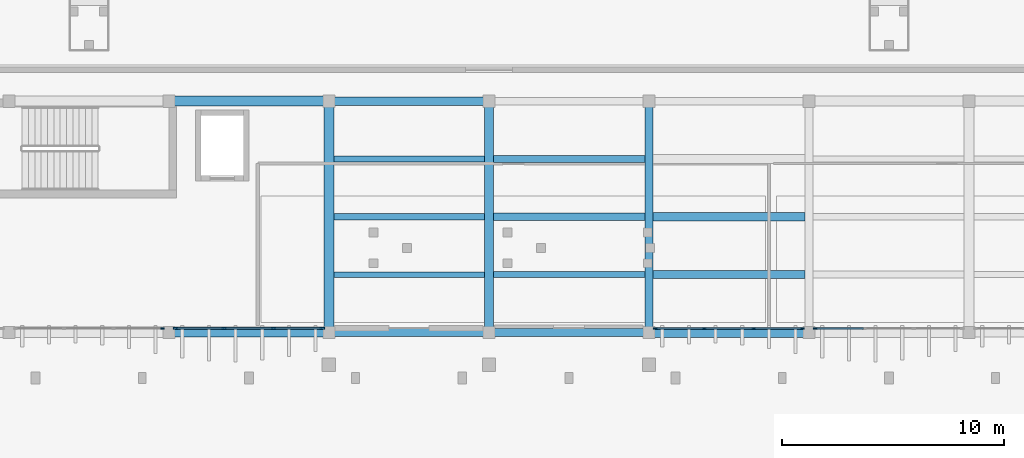
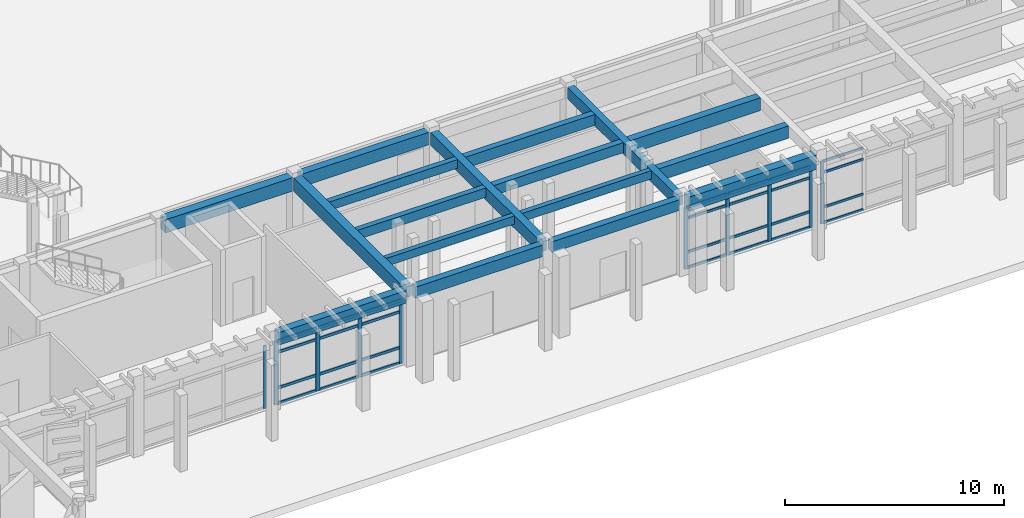
# One storey, part 12 of 58: 38 members, 17 beams, 4 elements without a shape of their own.
"""IFC4 building model written with IfcOpenShell, lengths in metres."""

from ifc_helpers import new_model, si_unit, direction, frame, origin, origin_2d, place, context, subcontext, project, spatial, rectangle, extrude, material, layer, layer_set, material_profile, profile_set, type_object, element, aggregate, save


model = new_model("IFC4")

# Units and contexts
model_context = context("Model", 3, precision=1e-05, world=origin(), true_north=direction((0.0, 1.0)))
body_context = subcontext(model_context, "Body", "Model", "MODEL_VIEW")
ifc_project = project(units=[si_unit("LENGTHUNIT", "METRE"), si_unit("AREAUNIT", "SQUARE_METRE"), si_unit("VOLUMEUNIT", "CUBIC_METRE"), si_unit("PLANEANGLEUNIT", "RADIAN"), si_unit("MASSUNIT", "GRAM", prefix="KILO")], contexts=[model_context])

# Site, building, storey
site_placement = place(None, origin())
site = spatial("IfcSite", under=ifc_project, at=site_placement, CompositionType="ELEMENT")
building_placement = place(site_placement, origin())
building = spatial("IfcBuilding", under=site, at=building_placement, Name="Brisavento Harbour Community Centre", CompositionType="ELEMENT")
storey_placement = place(building_placement, origin())
storey = spatial("IfcBuildingStorey", under=building, at=storey_placement, Name="L00", CompositionType="ELEMENT", Elevation=0.0)

# Beams
ifc_material_1 = material(Name="Concrete C35/45", Category="concrete")
ifc_material_profile_1 = material_profile(ifc_material_1, rectangle(XDim=0.25, YDim=0.449951171875, at=origin_2d()), Name="Concrete C35/45")
ifc_profile_set_1 = profile_set([ifc_material_profile_1], Name="Concrete C35/45")
beam_type_1 = type_object("IfcBeamType", Name="BM-JST-250x450", PredefinedType="JOIST", material=ifc_profile_set_1)
beam_1_placement = place(storey_placement, frame((72.22509765625, 17.0, 4.014892578125), z_axis=(1.0, 0.0, 0.0), x_axis=(0.0, 1.0, 0.0)))
element("IfcBeam", 1, at=beam_1_placement, inside=storey, type_object=beam_type_1, Name="L00 secondary floor joist 0167", PredefinedType="JOIST", context=body_context, shape_type="SweptSolid", body=[
    extrude(rectangle(XDim=0.25, YDim=0.449951171875, at=origin_2d()), origin(), (0.0, 0.0, 1.0), 6.77490234375),
])
ifc_material_profile_2 = material_profile(ifc_material_1, rectangle(XDim=0.260009765625, YDim=0.4599609375, at=origin_2d()), Name="Concrete C35/45")
ifc_profile_set_2 = profile_set([ifc_material_profile_2], Name="Concrete C35/45")
beam_type_2 = type_object("IfcBeamType", Name="BM-JST-260x460", PredefinedType="JOIST", material=ifc_profile_set_2)
beam_2_placement = place(storey_placement, frame((79.39990234375, 17.0, 4.010009765625), z_axis=(1.0, 0.0, 0.0), x_axis=(0.0, 1.0, 0.0)))
element("IfcBeam", 2, at=beam_2_placement, inside=storey, type_object=beam_type_2, Name="L00 secondary floor joist 0170", PredefinedType="JOIST", context=body_context, shape_type="SweptSolid", body=[
    extrude(rectangle(XDim=0.260009765625, YDim=0.4599609375, at=origin_2d()), origin(), (0.0, 0.0, 1.0), 6.8251953125),
])
ifc_material_profile_3 = material_profile(ifc_material_1, rectangle(XDim=0.280029296875, YDim=0.47998046875, at=origin_2d()), Name="Concrete C35/45")
ifc_profile_set_3 = profile_set([ifc_material_profile_3], Name="Concrete C35/45")
beam_type_3 = type_object("IfcBeamType", Name="BM-JST-280x480", PredefinedType="JOIST", material=ifc_profile_set_3)
beam_3_placement = place(storey_placement, frame((72.22509765625, 22.199951171875, 4.0), z_axis=(1.0, 0.0, 0.0), x_axis=(0.0, 1.0, 0.0)))
element("IfcBeam", 3, at=beam_3_placement, inside=storey, type_object=beam_type_3, Name="L00 secondary floor joist 0169", PredefinedType="JOIST", context=body_context, shape_type="SweptSolid", body=[
    extrude(rectangle(XDim=0.280029296875, YDim=0.47998046875, at=origin_2d()), origin(), (0.0, 0.0, 1.0), 6.77490234375),
])
ifc_material_profile_4 = material_profile(ifc_material_1, rectangle(XDim=0.280029296875, YDim=0.52001953125, at=origin_2d()), Name="Concrete C35/45")
ifc_profile_set_4 = profile_set([ifc_material_profile_4], Name="Concrete C35/45")
beam_type_4 = type_object("IfcBeamType", Name="BM-JST-280x520", PredefinedType="JOIST", material=ifc_profile_set_4)
beam_4_placement = place(storey_placement, frame((72.22509765625, 19.60009765625, 3.97998046875), z_axis=(1.0, 0.0, 0.0), x_axis=(0.0, 1.0, 0.0)))
element("IfcBeam", 4, at=beam_4_placement, inside=storey, type_object=beam_type_4, Name="L00 secondary floor joist 0168", PredefinedType="JOIST", context=body_context, shape_type="SweptSolid", body=[
    extrude(rectangle(XDim=0.280029296875, YDim=0.52001953125, at=origin_2d()), origin(), (0.0, 0.0, 1.0), 6.77490234375),
])
ifc_material_profile_5 = material_profile(ifc_material_1, rectangle(XDim=0.320068359375, YDim=0.56005859375, at=origin_2d()), Name="Concrete C35/45")
ifc_profile_set_5 = profile_set([ifc_material_profile_5], Name="Concrete C35/45")
beam_type_5 = type_object("IfcBeamType", Name="BM-JST-320x560", PredefinedType="JOIST", material=ifc_profile_set_5)
beam_5_placement = place(storey_placement, frame((79.39990234375, 19.60009765625, 3.9599609375), z_axis=(1.0, 0.0, 0.0), x_axis=(0.0, 1.0, 0.0)))
element("IfcBeam", 5, at=beam_5_placement, inside=storey, type_object=beam_type_5, Name="L00 secondary floor joist 0171", PredefinedType="JOIST", context=body_context, shape_type="SweptSolid", body=[
    extrude(rectangle(XDim=0.320068359375, YDim=0.56005859375, at=origin_2d()), origin(), (0.0, 0.0, 1.0), 6.8251953125),
])
ifc_material_profile_6 = material_profile(ifc_material_1, rectangle(XDim=0.320068359375, YDim=0.6201171875, at=origin_2d()), Name="Concrete C35/45")
ifc_profile_set_6 = profile_set([ifc_material_profile_6], Name="Concrete C35/45")
beam_type_6 = type_object("IfcBeamType", Name="BM-JST-320x620", PredefinedType="JOIST", material=ifc_profile_set_6)
beam_6_placement = place(storey_placement, frame((79.39990234375, 22.199951171875, 3.929931640625), z_axis=(1.0, 0.0, 0.0), x_axis=(0.0, 1.0, 0.0)))
element("IfcBeam", 6, at=beam_6_placement, inside=storey, type_object=beam_type_6, Name="L00 secondary floor joist 0172", PredefinedType="JOIST", context=body_context, shape_type="SweptSolid", body=[
    extrude(rectangle(XDim=0.320068359375, YDim=0.6201171875, at=origin_2d()), origin(), (0.0, 0.0, 1.0), 6.8251953125),
])
ifc_material_profile_7 = material_profile(ifc_material_1, rectangle(XDim=0.360107421875, YDim=0.679931640625, at=origin_2d()), Name="Concrete C35/45")
ifc_profile_set_7 = profile_set([ifc_material_profile_7], Name="Concrete C35/45")
beam_type_7 = type_object("IfcBeamType", Name="BM-JST-360x680", PredefinedType="JOIST", material=ifc_profile_set_7)
beam_7_placement = place(storey_placement, frame((86.574951171875, 17.0, 3.89990234375), z_axis=(1.0, 0.0, 0.0), x_axis=(0.0, 1.0, 0.0)))
element("IfcBeam", 7, at=beam_7_placement, inside=storey, type_object=beam_type_7, Name="L00 secondary floor joist 0173", PredefinedType="JOIST", context=body_context, shape_type="SweptSolid", body=[
    extrude(rectangle(XDim=0.360107421875, YDim=0.679931640625, at=origin_2d()), origin(), (0.0, 0.0, 1.0), 6.85009765625),
])
ifc_material_profile_8 = material_profile(ifc_material_1, rectangle(XDim=0.3798828125, YDim=0.719970703125, at=origin_2d()), Name="Concrete C35/45")
ifc_profile_set_8 = profile_set([ifc_material_profile_8], Name="Concrete C35/45")
beam_type_8 = type_object("IfcBeamType", Name="BM-JST-380x720", PredefinedType="JOIST", material=ifc_profile_set_8)
beam_8_placement = place(storey_placement, frame((86.574951171875, 19.60009765625, 3.8798828125), z_axis=(1.0, 0.0, 0.0), x_axis=(0.0, 1.0, 0.0)))
element("IfcBeam", 8, at=beam_8_placement, inside=storey, type_object=beam_type_8, Name="L00 secondary floor joist 0174", PredefinedType="JOIST", context=body_context, shape_type="SweptSolid", body=[
    extrude(rectangle(XDim=0.3798828125, YDim=0.719970703125, at=origin_2d()), origin(), (0.0, 0.0, 1.0), 6.85009765625),
])
ifc_material_profile_9 = material_profile(ifc_material_1, rectangle(XDim=0.35009765625, YDim=0.60009765625, at=origin_2d()), Name="Concrete C35/45")
ifc_profile_set_9 = profile_set([ifc_material_profile_9], Name="Concrete C35/45")
beam_type_9 = type_object("IfcBeamType", Name="BM-RC-350x600", PredefinedType="BEAM", material=ifc_profile_set_9)
beam_9_placement = place(storey_placement, frame((79.445068359375, 14.39990234375, 3.93994140625), z_axis=(1.0, 0.0, 0.0), x_axis=(0.0, 1.0, 0.0)))
element("IfcBeam", 9, at=beam_9_placement, inside=storey, type_object=beam_type_9, Name="L00 primary girder X0239", PredefinedType="BEAM", context=body_context, shape_type="SweptSolid", body=[
    extrude(rectangle(XDim=0.35009765625, YDim=0.60009765625, at=origin_2d()), origin(), (0.0, 0.0, 1.0), 6.7099609375),
])
ifc_material_profile_10 = material_profile(ifc_material_1, rectangle(XDim=0.35009765625, YDim=0.64990234375, at=origin_2d()), Name="Concrete C35/45")
ifc_profile_set_10 = profile_set([ifc_material_profile_10], Name="Concrete C35/45")
beam_type_10 = type_object("IfcBeamType", Name="BM-RC-350x650", PredefinedType="BEAM", material=ifc_profile_set_10)
beam_10_placement = place(storey_placement, frame((72.2451171875, 14.39990234375, 3.9150390625), z_axis=(1.0, 0.0, 0.0), x_axis=(0.0, 1.0, 0.0)))
element("IfcBeam", 10, at=beam_10_placement, inside=storey, type_object=beam_type_10, Name="L00 primary girder X0238", PredefinedType="BEAM", context=body_context, shape_type="SweptSolid", body=[
    extrude(rectangle(XDim=0.35009765625, YDim=0.64990234375, at=origin_2d()), origin(), (0.0, 0.0, 1.0), 6.7099609375),
])
beam_11_placement = place(storey_placement, frame((86.39990234375, 14.64501953125, 3.9150390625), z_axis=(0.0, 1.0, 0.0), x_axis=(-1.0, 0.0, 0.0)))
element("IfcBeam", 11, at=beam_11_placement, inside=storey, type_object=beam_type_10, Name="L00 primary girder Y0358", PredefinedType="BEAM", context=body_context, shape_type="SweptSolid", body=[
    extrude(rectangle(XDim=0.35009765625, YDim=0.64990234375, at=origin_2d()), origin(), (0.0, 0.0, 1.0), 9.909912109375),
])
ifc_material_profile_11 = material_profile(ifc_material_1, rectangle(XDim=0.39990234375, YDim=0.699951171875, at=origin_2d()), Name="Concrete C35/45")
ifc_profile_set_11 = profile_set([ifc_material_profile_11], Name="Concrete C35/45")
beam_type_11 = type_object("IfcBeamType", Name="BM-RC-400x700", PredefinedType="BEAM", material=ifc_profile_set_11)
for number, where, z_axis, x_axis, name in (
    (12, (65.044921875, 14.39990234375, 3.889892578125), (1.0, 0.0, 0.0), (0.0, 1.0, 0.0), "L00 primary girder X0237"),
    (13, (72.2451171875, 24.800048828125, 3.889892578125), (1.0, 0.0, 0.0), (0.0, 1.0, 0.0), "L00 primary girder X0262"),
):
    element("IfcBeam", number, at=place(storey_placement, frame(where, z_axis=z_axis, x_axis=x_axis)), inside=storey, type_object=beam_type_11, Name=name, PredefinedType="BEAM", context=body_context, shape_type="SweptSolid", body=[
        extrude(rectangle(XDim=0.39990234375, YDim=0.699951171875, at=origin_2d()), origin(), (0.0, 0.0, 1.0), 6.7099609375),
    ])
beam_12_placement = place(storey_placement, frame((79.199951171875, 14.64501953125, 3.889892578125), z_axis=(0.0, 1.0, 0.0), x_axis=(-1.0, 0.0, 0.0)))
element("IfcBeam", 14, at=beam_12_placement, inside=storey, type_object=beam_type_11, Name="L00 primary girder Y0357", PredefinedType="BEAM", context=body_context, shape_type="SweptSolid", body=[
    extrude(rectangle(XDim=0.39990234375, YDim=0.699951171875, at=origin_2d()), origin(), (0.0, 0.0, 1.0), 9.909912109375),
])
ifc_material_profile_12 = material_profile(ifc_material_1, rectangle(XDim=0.449951171875, YDim=0.75, at=origin_2d()), Name="Concrete C35/45")
ifc_profile_set_12 = profile_set([ifc_material_profile_12], Name="Concrete C35/45")
beam_type_12 = type_object("IfcBeamType", Name="BM-RC-450x750", PredefinedType="BEAM", material=ifc_profile_set_12)
beam_13_placement = place(storey_placement, frame((65.044921875, 24.800048828125, 3.864990234375), z_axis=(1.0, 0.0, 0.0), x_axis=(0.0, 1.0, 0.0)))
element("IfcBeam", 15, at=beam_13_placement, inside=storey, type_object=beam_type_12, Name="L00 primary girder X0261", PredefinedType="BEAM", context=body_context, shape_type="SweptSolid", body=[
    extrude(rectangle(XDim=0.449951171875, YDim=0.75, at=origin_2d()), origin(), (0.0, 0.0, 1.0), 6.7099609375),
])
beam_14_placement = place(storey_placement, frame((72.0, 14.64501953125, 3.864990234375), z_axis=(0.0, 1.0, 0.0), x_axis=(-1.0, 0.0, 0.0)))
element("IfcBeam", 16, at=beam_14_placement, inside=storey, type_object=beam_type_12, Name="L00 primary girder Y0356", PredefinedType="BEAM", context=body_context, shape_type="SweptSolid", body=[
    extrude(rectangle(XDim=0.449951171875, YDim=0.75, at=origin_2d()), origin(), (0.0, 0.0, 1.0), 9.909912109375),
])
ifc_material_profile_13 = material_profile(ifc_material_1, rectangle(XDim=0.449951171875, YDim=0.800048828125, at=origin_2d()), Name="Concrete C35/45")
ifc_profile_set_13 = profile_set([ifc_material_profile_13], Name="Concrete C35/45")
beam_type_13 = type_object("IfcBeamType", Name="BM-RC-450x800", PredefinedType="BEAM", material=ifc_profile_set_13)
beam_15_placement = place(storey_placement, frame((86.64501953125, 14.39990234375, 3.840087890625), z_axis=(1.0, 0.0, 0.0), x_axis=(0.0, 1.0, 0.0)))
element("IfcBeam", 17, at=beam_15_placement, inside=storey, type_object=beam_type_13, Name="L00 primary girder X0240", PredefinedType="BEAM", context=body_context, shape_type="SweptSolid", body=[
    extrude(rectangle(XDim=0.449951171875, YDim=0.800048828125, at=origin_2d()), origin(), (0.0, 0.0, 1.0), 6.7099609375),
])

# Curtain wall, member
ifc_material_2 = material(Name="Marine-anodised aluminium AW-6063-T6", Category="aluminium")
ifc_layer_1 = layer(ifc_material_2, 0.179931640625, Name="Marine-anodised aluminium AW-6063-T6")
ifc_layer_set_1 = layer_set([ifc_layer_1], Name="Marine-anodised aluminium AW-6063-T6")
curtain_wall_type_1 = type_object("IfcCurtainWallType", Name="CW-SYS-05", PredefinedType="USERDEFINED", material=ifc_layer_set_1)
curtain_wall_1_placement = place(storey_placement, origin())
curtain_wall_1 = element("IfcCurtainWall", 18, at=curtain_wall_1_placement, inside=storey, type_object=curtain_wall_type_1, Name="L00 V2 unitised curtain wall 005", ObjectType="UNITISED CURTAIN WALL", PredefinedType="USERDEFINED")
ifc_material_profile_14 = material_profile(ifc_material_2, rectangle(XDim=0.06494140625, YDim=0.1650390625, at=origin_2d()), Name="Marine-anodised aluminium AW-6063-T6")
ifc_profile_set_14 = profile_set([ifc_material_profile_14], Name="Marine-anodised aluminium AW-6063-T6")
member_type_1 = type_object("IfcMemberType", Name="CWM-01", PredefinedType="MULLION", material=ifc_profile_set_14)
member_1_placement = place(storey_placement, frame((64.507568359375, 14.580078125, 0.0), z_axis=(0.0, 0.0, 1.0), x_axis=(0.0, -1.0, 0.0)))
member_1 = element("IfcMember", 19, at=member_1_placement, type_object=member_type_1, Name="CW-05 mullion 1", PredefinedType="MULLION", context=body_context, shape_type="SweptSolid", body=[
    extrude(rectangle(XDim=0.06494140625, YDim=0.1650390625, at=origin_2d()), origin(), (0.0, 0.0, 1.0), 3.489990234375),
])
aggregate(curtain_wall_1, [member_1])

ifc_layer_2 = layer(ifc_material_2, 0.179931640625, Name="Marine-anodised aluminium AW-6063-T6")
ifc_layer_set_2 = layer_set([ifc_layer_2], Name="Marine-anodised aluminium AW-6063-T6")
curtain_wall_type_2 = type_object("IfcCurtainWallType", Name="CW-SYS-02", PredefinedType="USERDEFINED", material=ifc_layer_set_2)
curtain_wall_2_placement = place(storey_placement, origin())
curtain_wall_2 = element("IfcCurtainWall", 20, at=curtain_wall_2_placement, inside=storey, type_object=curtain_wall_type_2, Name="L00 V2 unitised curtain wall 002", ObjectType="UNITISED CURTAIN WALL", PredefinedType="USERDEFINED")
ifc_material_profile_15 = material_profile(ifc_material_2, rectangle(XDim=0.070068359375, YDim=0.179931640625, at=origin_2d()), Name="Marine-anodised aluminium AW-6063-T6")
ifc_profile_set_15 = profile_set([ifc_material_profile_15], Name="Marine-anodised aluminium AW-6063-T6")
member_type_2 = type_object("IfcMemberType", Name="CWM-02", PredefinedType="MULLION", material=ifc_profile_set_15)
member_2_placement = place(storey_placement, frame((93.89501953125, 14.580078125, 0.0), z_axis=(0.0, 0.0, 1.0), x_axis=(0.0, -1.0, 0.0)))
member_2 = element("IfcMember", 21, at=member_2_placement, type_object=member_type_2, Name="CW-02 mullion 4", PredefinedType="MULLION", context=body_context, shape_type="SweptSolid", body=[
    extrude(rectangle(XDim=0.070068359375, YDim=0.179931640625, at=origin_2d()), origin(), (0.0, 0.0, 1.0), 3.489990234375),
])

# Curtain wall, members
ifc_layer_3 = layer(ifc_material_2, 0.179931640625, Name="Marine-anodised aluminium AW-6063-T6")
ifc_layer_set_3 = layer_set([ifc_layer_3], Name="Marine-anodised aluminium AW-6063-T6")
curtain_wall_type_3 = type_object("IfcCurtainWallType", Name="CW-SYS-03", PredefinedType="USERDEFINED", material=ifc_layer_set_3)
curtain_wall_3_placement = place(storey_placement, origin())
curtain_wall_3 = element("IfcCurtainWall", 22, at=curtain_wall_3_placement, inside=storey, type_object=curtain_wall_type_3, Name="L00 V2 unitised curtain wall 003", ObjectType="UNITISED CURTAIN WALL", PredefinedType="USERDEFINED")
ifc_material_profile_16 = material_profile(ifc_material_2, rectangle(XDim=0.074951171875, YDim=0.18994140625, at=origin_2d()), Name="Marine-anodised aluminium AW-6063-T6")
ifc_profile_set_16 = profile_set([ifc_material_profile_16], Name="Marine-anodised aluminium AW-6063-T6")
member_type_3 = type_object("IfcMemberType", Name="CWM-03", PredefinedType="MULLION", material=ifc_profile_set_16)
member_3_placement = place(storey_placement, frame((93.302490234375, 14.580078125, 0.0), z_axis=(0.0, 0.0, 1.0), x_axis=(0.0, -1.0, 0.0)))
member_3 = element("IfcMember", 23, at=member_3_placement, type_object=member_type_3, Name="CW-03 mullion 1", PredefinedType="MULLION", context=body_context, shape_type="SweptSolid", body=[
    extrude(rectangle(XDim=0.074951171875, YDim=0.18994140625, at=origin_2d()), origin(), (0.0, 0.0, 1.0), 3.43994140625),
])
member_4_placement = place(storey_placement, frame((91.11328125, 14.580078125, 0.0), z_axis=(0.0, 0.0, 1.0), x_axis=(0.0, -1.0, 0.0)))
member_4 = element("IfcMember", 24, at=member_4_placement, type_object=member_type_3, Name="CW-03 mullion 2", PredefinedType="MULLION", context=body_context, shape_type="SweptSolid", body=[
    extrude(rectangle(XDim=0.074951171875, YDim=0.18994140625, at=origin_2d()), origin(), (0.0, 0.0, 1.0), 3.43994140625),
])
member_5_placement = place(storey_placement, frame((88.88671875, 14.580078125, 0.0), z_axis=(0.0, 0.0, 1.0), x_axis=(0.0, -1.0, 0.0)))
member_5 = element("IfcMember", 25, at=member_5_placement, type_object=member_type_3, Name="CW-03 mullion 3", PredefinedType="MULLION", context=body_context, shape_type="SweptSolid", body=[
    extrude(rectangle(XDim=0.074951171875, YDim=0.18994140625, at=origin_2d()), origin(), (0.0, 0.0, 1.0), 3.43994140625),
])
member_6_placement = place(storey_placement, frame((86.697509765625, 14.580078125, 0.0), z_axis=(0.0, 0.0, 1.0), x_axis=(0.0, -1.0, 0.0)))
member_6 = element("IfcMember", 26, at=member_6_placement, type_object=member_type_3, Name="CW-03 mullion 4", PredefinedType="MULLION", context=body_context, shape_type="SweptSolid", body=[
    extrude(rectangle(XDim=0.074951171875, YDim=0.18994140625, at=origin_2d()), origin(), (0.0, 0.0, 1.0), 3.43994140625),
])

ifc_layer_4 = layer(ifc_material_2, 0.179931640625, Name="Marine-anodised aluminium AW-6063-T6")
ifc_layer_set_4 = layer_set([ifc_layer_4], Name="Marine-anodised aluminium AW-6063-T6")
curtain_wall_type_4 = type_object("IfcCurtainWallType", Name="CW-SYS-04", PredefinedType="USERDEFINED", material=ifc_layer_set_4)
curtain_wall_4_placement = place(storey_placement, origin())
curtain_wall_4 = element("IfcCurtainWall", 27, at=curtain_wall_4_placement, inside=storey, type_object=curtain_wall_type_4, Name="L00 V2 unitised curtain wall 004", ObjectType="UNITISED CURTAIN WALL", PredefinedType="USERDEFINED")
ifc_material_profile_17 = material_profile(ifc_material_2, rectangle(XDim=0.080078125, YDim=0.2099609375, at=origin_2d()), Name="Marine-anodised aluminium AW-6063-T6")
ifc_profile_set_17 = profile_set([ifc_material_profile_17], Name="Marine-anodised aluminium AW-6063-T6")
member_type_4 = type_object("IfcMemberType", Name="CWM-04", PredefinedType="MULLION", material=ifc_profile_set_17)
member_7_placement = place(storey_placement, frame((71.699951171875, 14.580078125, 0.0), z_axis=(0.0, 0.0, 1.0), x_axis=(0.0, -1.0, 0.0)))
member_7 = element("IfcMember", 28, at=member_7_placement, type_object=member_type_4, Name="CW-04 mullion 1", PredefinedType="MULLION", context=body_context, shape_type="SweptSolid", body=[
    extrude(rectangle(XDim=0.080078125, YDim=0.2099609375, at=origin_2d()), origin(), (0.0, 0.0, 1.0), 3.5400390625),
])
member_8_placement = place(storey_placement, frame((69.513427734375, 14.580078125, 0.0), z_axis=(0.0, 0.0, 1.0), x_axis=(0.0, -1.0, 0.0)))
member_8 = element("IfcMember", 29, at=member_8_placement, type_object=member_type_4, Name="CW-04 mullion 2", PredefinedType="MULLION", context=body_context, shape_type="SweptSolid", body=[
    extrude(rectangle(XDim=0.080078125, YDim=0.2099609375, at=origin_2d()), origin(), (0.0, 0.0, 1.0), 3.5400390625),
])
member_9_placement = place(storey_placement, frame((67.28662109375, 14.580078125, 0.0), z_axis=(0.0, 0.0, 1.0), x_axis=(0.0, -1.0, 0.0)))
member_9 = element("IfcMember", 30, at=member_9_placement, type_object=member_type_4, Name="CW-04 mullion 3", PredefinedType="MULLION", context=body_context, shape_type="SweptSolid", body=[
    extrude(rectangle(XDim=0.080078125, YDim=0.2099609375, at=origin_2d()), origin(), (0.0, 0.0, 1.0), 3.5400390625),
])
member_10_placement = place(storey_placement, frame((65.10009765625, 14.580078125, 0.0), z_axis=(0.0, 0.0, 1.0), x_axis=(0.0, -1.0, 0.0)))
member_10 = element("IfcMember", 31, at=member_10_placement, type_object=member_type_4, Name="CW-04 mullion 4", PredefinedType="MULLION", context=body_context, shape_type="SweptSolid", body=[
    extrude(rectangle(XDim=0.080078125, YDim=0.2099609375, at=origin_2d()), origin(), (0.0, 0.0, 1.0), 3.5400390625),
])

# Member
ifc_material_profile_18 = material_profile(ifc_material_2, rectangle(XDim=0.070068359375, YDim=0.132080078125, at=origin_2d()), Name="Marine-anodised aluminium AW-6063-T6")
ifc_profile_set_18 = profile_set([ifc_material_profile_18], Name="Marine-anodised aluminium AW-6063-T6")
member_type_5 = type_object("IfcMemberType", Name="CWT-02", PredefinedType="USERDEFINED", material=ifc_profile_set_18)
member_11_placement = place(storey_placement, frame((96.0517578125, 14.580078125, 0.034912109375), z_axis=(-1.0, 0.0, 0.0), x_axis=(0.0, -1.0, 0.0)))
member_11 = element("IfcMember", 32, at=member_11_placement, type_object=member_type_5, Name="CW-02 transom 3.1", ObjectType="TRANSOM", PredefinedType="USERDEFINED", context=body_context, shape_type="SweptSolid", body=[
    extrude(rectangle(XDim=0.070068359375, YDim=0.132080078125, at=origin_2d()), origin(), (0.0, 0.0, 1.0), 2.121826171875),
])

member_12_placement = place(storey_placement, frame((96.0517578125, 14.580078125, 0.89990234375), z_axis=(-1.0, 0.0, 0.0), x_axis=(0.0, -1.0, 0.0)))
member_12 = element("IfcMember", 33, at=member_12_placement, type_object=member_type_5, Name="CW-02 transom 3.2", ObjectType="TRANSOM", PredefinedType="USERDEFINED", context=body_context, shape_type="SweptSolid", body=[
    extrude(rectangle(XDim=0.070068359375, YDim=0.132080078125, at=origin_2d()), origin(), (0.0, 0.0, 1.0), 2.121826171875),
])

member_13_placement = place(storey_placement, frame((96.0517578125, 14.580078125, 2.840087890625), z_axis=(-1.0, 0.0, 0.0), x_axis=(0.0, -1.0, 0.0)))
member_13 = element("IfcMember", 34, at=member_13_placement, type_object=member_type_5, Name="CW-02 transom 3.3", ObjectType="TRANSOM", PredefinedType="USERDEFINED", context=body_context, shape_type="SweptSolid", body=[
    extrude(rectangle(XDim=0.070068359375, YDim=0.132080078125, at=origin_2d()), origin(), (0.0, 0.0, 1.0), 2.121826171875),
])

member_14_placement = place(storey_placement, frame((96.0517578125, 14.580078125, 3.455078125), z_axis=(-1.0, 0.0, 0.0), x_axis=(0.0, -1.0, 0.0)))
member_14 = element("IfcMember", 35, at=member_14_placement, type_object=member_type_5, Name="CW-02 transom 3.4", ObjectType="TRANSOM", PredefinedType="USERDEFINED", context=body_context, shape_type="SweptSolid", body=[
    extrude(rectangle(XDim=0.070068359375, YDim=0.132080078125, at=origin_2d()), origin(), (0.0, 0.0, 1.0), 2.121826171875),
])

aggregate(curtain_wall_2, [member_2, member_11, member_12, member_13, member_14])

ifc_material_profile_19 = material_profile(ifc_material_2, rectangle(XDim=0.074951171875, YDim=0.139892578125, at=origin_2d()), Name="Marine-anodised aluminium AW-6063-T6")
ifc_profile_set_19 = profile_set([ifc_material_profile_19], Name="Marine-anodised aluminium AW-6063-T6")
member_type_6 = type_object("IfcMemberType", Name="CWT-03", PredefinedType="USERDEFINED", material=ifc_profile_set_19)
member_15_placement = place(storey_placement, frame((93.264892578125, 14.580078125, 0.03759765625), z_axis=(-1.0, 0.0, 0.0), x_axis=(0.0, -1.0, 0.0)))
member_15 = element("IfcMember", 36, at=member_15_placement, type_object=member_type_6, Name="CW-03 transom 1.1", ObjectType="TRANSOM", PredefinedType="USERDEFINED", context=body_context, shape_type="SweptSolid", body=[
    extrude(rectangle(XDim=0.074951171875, YDim=0.139892578125, at=origin_2d()), origin(), (0.0, 0.0, 1.0), 2.114013671875),
])

member_16_placement = place(storey_placement, frame((93.264892578125, 14.580078125, 0.89990234375), z_axis=(-1.0, 0.0, 0.0), x_axis=(0.0, -1.0, 0.0)))
member_16 = element("IfcMember", 37, at=member_16_placement, type_object=member_type_6, Name="CW-03 transom 1.2", ObjectType="TRANSOM", PredefinedType="USERDEFINED", context=body_context, shape_type="SweptSolid", body=[
    extrude(rectangle(XDim=0.074951171875, YDim=0.139892578125, at=origin_2d()), origin(), (0.0, 0.0, 1.0), 2.114013671875),
])

member_17_placement = place(storey_placement, frame((93.264892578125, 14.580078125, 2.7900390625), z_axis=(-1.0, 0.0, 0.0), x_axis=(0.0, -1.0, 0.0)))
member_17 = element("IfcMember", 38, at=member_17_placement, type_object=member_type_6, Name="CW-03 transom 1.3", ObjectType="TRANSOM", PredefinedType="USERDEFINED", context=body_context, shape_type="SweptSolid", body=[
    extrude(rectangle(XDim=0.074951171875, YDim=0.139892578125, at=origin_2d()), origin(), (0.0, 0.0, 1.0), 2.114013671875),
])

member_18_placement = place(storey_placement, frame((93.264892578125, 14.580078125, 3.402587890625), z_axis=(-1.0, 0.0, 0.0), x_axis=(0.0, -1.0, 0.0)))
member_18 = element("IfcMember", 39, at=member_18_placement, type_object=member_type_6, Name="CW-03 transom 1.4", ObjectType="TRANSOM", PredefinedType="USERDEFINED", context=body_context, shape_type="SweptSolid", body=[
    extrude(rectangle(XDim=0.074951171875, YDim=0.139892578125, at=origin_2d()), origin(), (0.0, 0.0, 1.0), 2.114013671875),
])

member_19_placement = place(storey_placement, frame((91.075927734375, 14.580078125, 0.03759765625), z_axis=(-1.0, 0.0, 0.0), x_axis=(0.0, -1.0, 0.0)))
member_19 = element("IfcMember", 40, at=member_19_placement, type_object=member_type_6, Name="CW-03 transom 2.1", ObjectType="TRANSOM", PredefinedType="USERDEFINED", context=body_context, shape_type="SweptSolid", body=[
    extrude(rectangle(XDim=0.074951171875, YDim=0.139892578125, at=origin_2d()), origin(), (0.0, 0.0, 1.0), 2.15185546875),
])

member_20_placement = place(storey_placement, frame((91.075927734375, 14.580078125, 0.89990234375), z_axis=(-1.0, 0.0, 0.0), x_axis=(0.0, -1.0, 0.0)))
member_20 = element("IfcMember", 41, at=member_20_placement, type_object=member_type_6, Name="CW-03 transom 2.2", ObjectType="TRANSOM", PredefinedType="USERDEFINED", context=body_context, shape_type="SweptSolid", body=[
    extrude(rectangle(XDim=0.074951171875, YDim=0.139892578125, at=origin_2d()), origin(), (0.0, 0.0, 1.0), 2.15185546875),
])

member_21_placement = place(storey_placement, frame((91.075927734375, 14.580078125, 2.7900390625), z_axis=(-1.0, 0.0, 0.0), x_axis=(0.0, -1.0, 0.0)))
member_21 = element("IfcMember", 42, at=member_21_placement, type_object=member_type_6, Name="CW-03 transom 2.3", ObjectType="TRANSOM", PredefinedType="USERDEFINED", context=body_context, shape_type="SweptSolid", body=[
    extrude(rectangle(XDim=0.074951171875, YDim=0.139892578125, at=origin_2d()), origin(), (0.0, 0.0, 1.0), 2.15185546875),
])

member_22_placement = place(storey_placement, frame((91.075927734375, 14.580078125, 3.402587890625), z_axis=(-1.0, 0.0, 0.0), x_axis=(0.0, -1.0, 0.0)))
member_22 = element("IfcMember", 43, at=member_22_placement, type_object=member_type_6, Name="CW-03 transom 2.4", ObjectType="TRANSOM", PredefinedType="USERDEFINED", context=body_context, shape_type="SweptSolid", body=[
    extrude(rectangle(XDim=0.074951171875, YDim=0.139892578125, at=origin_2d()), origin(), (0.0, 0.0, 1.0), 2.15185546875),
])

member_23_placement = place(storey_placement, frame((88.84912109375, 14.580078125, 0.03759765625), z_axis=(-1.0, 0.0, 0.0), x_axis=(0.0, -1.0, 0.0)))
member_23 = element("IfcMember", 44, at=member_23_placement, type_object=member_type_6, Name="CW-03 transom 3.1", ObjectType="TRANSOM", PredefinedType="USERDEFINED", context=body_context, shape_type="SweptSolid", body=[
    extrude(rectangle(XDim=0.074951171875, YDim=0.139892578125, at=origin_2d()), origin(), (0.0, 0.0, 1.0), 2.114013671875),
])

member_24_placement = place(storey_placement, frame((88.84912109375, 14.580078125, 0.89990234375), z_axis=(-1.0, 0.0, 0.0), x_axis=(0.0, -1.0, 0.0)))
member_24 = element("IfcMember", 45, at=member_24_placement, type_object=member_type_6, Name="CW-03 transom 3.2", ObjectType="TRANSOM", PredefinedType="USERDEFINED", context=body_context, shape_type="SweptSolid", body=[
    extrude(rectangle(XDim=0.074951171875, YDim=0.139892578125, at=origin_2d()), origin(), (0.0, 0.0, 1.0), 2.114013671875),
])

member_25_placement = place(storey_placement, frame((88.84912109375, 14.580078125, 2.7900390625), z_axis=(-1.0, 0.0, 0.0), x_axis=(0.0, -1.0, 0.0)))
member_25 = element("IfcMember", 46, at=member_25_placement, type_object=member_type_6, Name="CW-03 transom 3.3", ObjectType="TRANSOM", PredefinedType="USERDEFINED", context=body_context, shape_type="SweptSolid", body=[
    extrude(rectangle(XDim=0.074951171875, YDim=0.139892578125, at=origin_2d()), origin(), (0.0, 0.0, 1.0), 2.114013671875),
])

member_26_placement = place(storey_placement, frame((88.84912109375, 14.580078125, 3.402587890625), z_axis=(-1.0, 0.0, 0.0), x_axis=(0.0, -1.0, 0.0)))
member_26 = element("IfcMember", 47, at=member_26_placement, type_object=member_type_6, Name="CW-03 transom 3.4", ObjectType="TRANSOM", PredefinedType="USERDEFINED", context=body_context, shape_type="SweptSolid", body=[
    extrude(rectangle(XDim=0.074951171875, YDim=0.139892578125, at=origin_2d()), origin(), (0.0, 0.0, 1.0), 2.114013671875),
])

aggregate(curtain_wall_3, [member_3, member_4, member_5, member_6, member_15, member_16, member_17, member_18, member_19, member_20, member_21, member_22, member_23, member_24, member_25, member_26])

ifc_material_profile_20 = material_profile(ifc_material_2, rectangle(XDim=0.080078125, YDim=0.155029296875, at=origin_2d()), Name="Marine-anodised aluminium AW-6063-T6")
ifc_profile_set_20 = profile_set([ifc_material_profile_20], Name="Marine-anodised aluminium AW-6063-T6")
member_type_7 = type_object("IfcMemberType", Name="CWT-04", PredefinedType="USERDEFINED", material=ifc_profile_set_20)
member_27_placement = place(storey_placement, frame((71.659912109375, 14.580078125, 0.0400390625), z_axis=(-1.0, 0.0, 0.0), x_axis=(0.0, -1.0, 0.0)))
member_27 = element("IfcMember", 48, at=member_27_placement, type_object=member_type_7, Name="CW-04 transom 1.1", ObjectType="TRANSOM", PredefinedType="USERDEFINED", context=body_context, shape_type="SweptSolid", body=[
    extrude(rectangle(XDim=0.080078125, YDim=0.155029296875, at=origin_2d()), origin(), (0.0, 0.0, 1.0), 2.106689453125),
])

member_28_placement = place(storey_placement, frame((71.659912109375, 14.580078125, 0.89990234375), z_axis=(-1.0, 0.0, 0.0), x_axis=(0.0, -1.0, 0.0)))
member_28 = element("IfcMember", 49, at=member_28_placement, type_object=member_type_7, Name="CW-04 transom 1.2", ObjectType="TRANSOM", PredefinedType="USERDEFINED", context=body_context, shape_type="SweptSolid", body=[
    extrude(rectangle(XDim=0.080078125, YDim=0.155029296875, at=origin_2d()), origin(), (0.0, 0.0, 1.0), 2.106689453125),
])

member_29_placement = place(storey_placement, frame((71.659912109375, 14.580078125, 2.889892578125), z_axis=(-1.0, 0.0, 0.0), x_axis=(0.0, -1.0, 0.0)))
member_29 = element("IfcMember", 50, at=member_29_placement, type_object=member_type_7, Name="CW-04 transom 1.3", ObjectType="TRANSOM", PredefinedType="USERDEFINED", context=body_context, shape_type="SweptSolid", body=[
    extrude(rectangle(XDim=0.080078125, YDim=0.155029296875, at=origin_2d()), origin(), (0.0, 0.0, 1.0), 2.106689453125),
])

member_30_placement = place(storey_placement, frame((71.659912109375, 14.580078125, 3.5), z_axis=(-1.0, 0.0, 0.0), x_axis=(0.0, -1.0, 0.0)))
member_30 = element("IfcMember", 51, at=member_30_placement, type_object=member_type_7, Name="CW-04 transom 1.4", ObjectType="TRANSOM", PredefinedType="USERDEFINED", context=body_context, shape_type="SweptSolid", body=[
    extrude(rectangle(XDim=0.080078125, YDim=0.155029296875, at=origin_2d()), origin(), (0.0, 0.0, 1.0), 2.106689453125),
])

member_31_placement = place(storey_placement, frame((69.473388671875, 14.580078125, 0.0400390625), z_axis=(-1.0, 0.0, 0.0), x_axis=(0.0, -1.0, 0.0)))
member_31 = element("IfcMember", 52, at=member_31_placement, type_object=member_type_7, Name="CW-04 transom 2.1", ObjectType="TRANSOM", PredefinedType="USERDEFINED", context=body_context, shape_type="SweptSolid", body=[
    extrude(rectangle(XDim=0.080078125, YDim=0.155029296875, at=origin_2d()), origin(), (0.0, 0.0, 1.0), 2.146728515625),
])

member_32_placement = place(storey_placement, frame((69.473388671875, 14.580078125, 0.89990234375), z_axis=(-1.0, 0.0, 0.0), x_axis=(0.0, -1.0, 0.0)))
member_32 = element("IfcMember", 53, at=member_32_placement, type_object=member_type_7, Name="CW-04 transom 2.2", ObjectType="TRANSOM", PredefinedType="USERDEFINED", context=body_context, shape_type="SweptSolid", body=[
    extrude(rectangle(XDim=0.080078125, YDim=0.155029296875, at=origin_2d()), origin(), (0.0, 0.0, 1.0), 2.146728515625),
])

member_33_placement = place(storey_placement, frame((69.473388671875, 14.580078125, 2.889892578125), z_axis=(-1.0, 0.0, 0.0), x_axis=(0.0, -1.0, 0.0)))
member_33 = element("IfcMember", 54, at=member_33_placement, type_object=member_type_7, Name="CW-04 transom 2.3", ObjectType="TRANSOM", PredefinedType="USERDEFINED", context=body_context, shape_type="SweptSolid", body=[
    extrude(rectangle(XDim=0.080078125, YDim=0.155029296875, at=origin_2d()), origin(), (0.0, 0.0, 1.0), 2.146728515625),
])

member_34_placement = place(storey_placement, frame((69.473388671875, 14.580078125, 3.5), z_axis=(-1.0, 0.0, 0.0), x_axis=(0.0, -1.0, 0.0)))
member_34 = element("IfcMember", 55, at=member_34_placement, type_object=member_type_7, Name="CW-04 transom 2.4", ObjectType="TRANSOM", PredefinedType="USERDEFINED", context=body_context, shape_type="SweptSolid", body=[
    extrude(rectangle(XDim=0.080078125, YDim=0.155029296875, at=origin_2d()), origin(), (0.0, 0.0, 1.0), 2.146728515625),
])

member_35_placement = place(storey_placement, frame((67.24658203125, 14.580078125, 0.0400390625), z_axis=(-1.0, 0.0, 0.0), x_axis=(0.0, -1.0, 0.0)))
member_35 = element("IfcMember", 56, at=member_35_placement, type_object=member_type_7, Name="CW-04 transom 3.1", ObjectType="TRANSOM", PredefinedType="USERDEFINED", context=body_context, shape_type="SweptSolid", body=[
    extrude(rectangle(XDim=0.080078125, YDim=0.155029296875, at=origin_2d()), origin(), (0.0, 0.0, 1.0), 2.106689453125),
])

member_36_placement = place(storey_placement, frame((67.24658203125, 14.580078125, 0.89990234375), z_axis=(-1.0, 0.0, 0.0), x_axis=(0.0, -1.0, 0.0)))
member_36 = element("IfcMember", 57, at=member_36_placement, type_object=member_type_7, Name="CW-04 transom 3.2", ObjectType="TRANSOM", PredefinedType="USERDEFINED", context=body_context, shape_type="SweptSolid", body=[
    extrude(rectangle(XDim=0.080078125, YDim=0.155029296875, at=origin_2d()), origin(), (0.0, 0.0, 1.0), 2.106689453125),
])

member_37_placement = place(storey_placement, frame((67.24658203125, 14.580078125, 2.889892578125), z_axis=(-1.0, 0.0, 0.0), x_axis=(0.0, -1.0, 0.0)))
member_37 = element("IfcMember", 58, at=member_37_placement, type_object=member_type_7, Name="CW-04 transom 3.3", ObjectType="TRANSOM", PredefinedType="USERDEFINED", context=body_context, shape_type="SweptSolid", body=[
    extrude(rectangle(XDim=0.080078125, YDim=0.155029296875, at=origin_2d()), origin(), (0.0, 0.0, 1.0), 2.106689453125),
])

member_38_placement = place(storey_placement, frame((67.24658203125, 14.580078125, 3.5), z_axis=(-1.0, 0.0, 0.0), x_axis=(0.0, -1.0, 0.0)))
member_38 = element("IfcMember", 59, at=member_38_placement, type_object=member_type_7, Name="CW-04 transom 3.4", ObjectType="TRANSOM", PredefinedType="USERDEFINED", context=body_context, shape_type="SweptSolid", body=[
    extrude(rectangle(XDim=0.080078125, YDim=0.155029296875, at=origin_2d()), origin(), (0.0, 0.0, 1.0), 2.106689453125),
])

aggregate(curtain_wall_4, [member_7, member_8, member_9, member_10, member_27, member_28, member_29, member_30, member_31, member_32, member_33, member_34, member_35, member_36, member_37, member_38])

save(model, "model.ifc")
